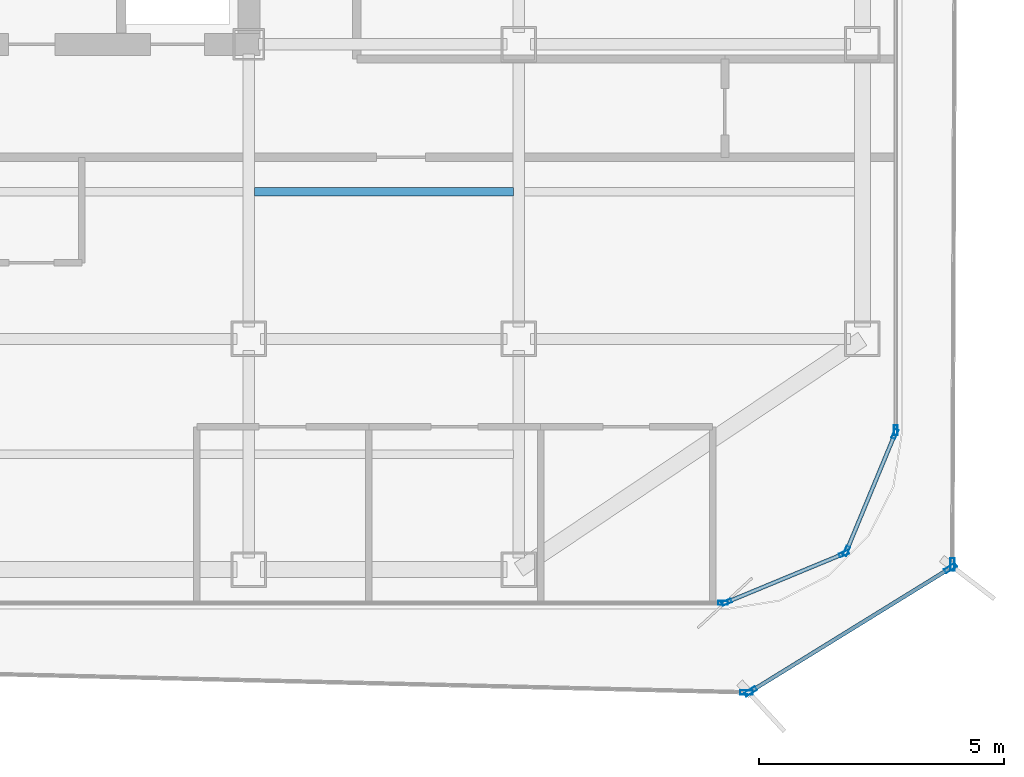
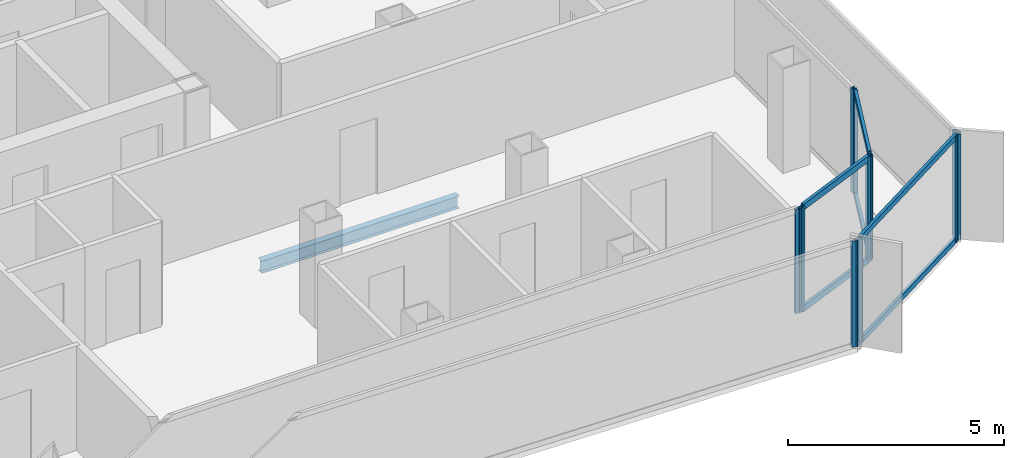
# One storey, part 4 of 15: 16 members, 1 beam, 7 elements without a shape of their own.
"""IFC4 building model written with IfcOpenShell, lengths in metres."""

from ifc_helpers import new_model, si_unit, direction, frame, origin, origin_2d, place, context, subcontext, project, spatial, hollow_rectangle, i_section, extrude, source, transform, mapped, material, layer, layer_set, material_profile, profile_set, type_object, element, aggregate, save


model = new_model("IFC4")

# Units and contexts
model_context = context("Model", 3, precision=1e-05, world=origin(), true_north=direction((0.0, 1.0)))
body_context = subcontext(model_context, "Body", "Model", "MODEL_VIEW")
ifc_project = project(units=[si_unit("LENGTHUNIT", "METRE"), si_unit("AREAUNIT", "SQUARE_METRE"), si_unit("VOLUMEUNIT", "CUBIC_METRE"), si_unit("PLANEANGLEUNIT", "RADIAN"), si_unit("MASSUNIT", "GRAM", prefix="KILO")], contexts=[model_context])

# Site, building, storey
site_placement = place(None, origin())
site = spatial("IfcSite", under=ifc_project, at=site_placement, CompositionType="ELEMENT")
building_placement = place(site_placement, origin())
building = spatial("IfcBuilding", under=site, at=building_placement, Name="Kolveth Station Tower", CompositionType="ELEMENT")
storey_placement = place(building_placement, frame((0.0, 0.0, 181.699951171875)))
storey = spatial("IfcBuildingStorey", under=building, at=storey_placement, Name="L51", CompositionType="ELEMENT", Elevation=181.699951171875)

# Beam
ifc_material_1 = material(Name="Steel S355", Category="steel")
ifc_material_profile_1 = material_profile(ifc_material_1, i_section(OverallWidth=0.1708984375, OverallDepth=0.35205078125, WebThickness=0.0068359375, FlangeThickness=0.009765625, at=origin_2d()), Name="W360x44")
ifc_profile_set_1 = profile_set([ifc_material_profile_1], Name="Steel S355")
beam_type = type_object("IfcBeamType", Name="Beam_J2", PredefinedType="JOIST", material=ifc_profile_set_1)
shared_shape_1 = source(origin(), body_context, "Body", "SweptSolid", [
    extrude(i_section(OverallWidth=0.1708984375, OverallDepth=0.35205078125, WebThickness=0.0068359375, FlangeThickness=0.009765625, at=origin_2d()), origin(), (0.0, 0.0, 1.0), 5.27490234375),
])
beam_placement = place(storey_placement, frame((28.612548828125, 8.5, -0.426025390625), z_axis=(1.0, 0.0, 0.0), x_axis=(0.0, 1.0, 0.0)))
element("IfcBeam", 1, at=beam_placement, inside=storey, type_object=beam_type, Name="L51 Secondary Joist JST-L51-5-2", PredefinedType="JOIST", context=body_context, shape_type="MappedRepresentation", body=[
    mapped(shared_shape_1, transform((0.0, 0.0, 0.0), x_axis=(1.0, 0.0, 0.0), y_axis=(0.0, 1.0, 0.0), z_axis=(0.0, 0.0, 1.0), scale=1.0)),
])

# Curtain wall, members
ifc_material_2 = material(Name="Aluminium 6063-T6 and low-E dark glass", Category="aluminium")
ifc_layer_1 = layer(ifc_material_2, 0.18994140625)
ifc_layer_set_1 = layer_set([ifc_layer_1], Name="Aluminium 6063-T6 and low-E dark glass")
curtain_wall_type_1 = type_object("IfcCurtainWallType", Name="CurtainWall_CW-Z2", PredefinedType="NOTDEFINED", material=ifc_layer_set_1)
curtain_wall_1_placement = place(storey_placement, origin())
curtain_wall_1 = element("IfcCurtainWall", 2, at=curtain_wall_1_placement, inside=storey, type_object=curtain_wall_type_1, Name="L51 Inner Thermal Curtain Wall 1", PredefinedType="NOTDEFINED")
ifc_material_3 = material(Name="Black anodized aluminium 6063-T6", Category="aluminium")
ifc_material_profile_2 = material_profile(ifc_material_3, hollow_rectangle(XDim=0.080078125, YDim=0.199951171875, WallThickness=0.0048828125, at=origin_2d()), Name="ALU-80x200x5")
ifc_profile_set_2 = profile_set([ifc_material_profile_2], Name="Black anodized aluminium 6063-T6")
member_type_1 = type_object("IfcMemberType", Name="Mullion_ML2", PredefinedType="MULLION", material=ifc_profile_set_2)
shared_shape_2 = source(origin(), body_context, "Body", "SweptSolid", [
    extrude(hollow_rectangle(XDim=0.080078125, YDim=0.199951171875, WallThickness=0.0048828125, at=origin_2d()), origin(), (0.0, 0.0, 1.0), 2.949951171875),
])
member_1_placement = place(storey_placement, frame((38.237060546875, 0.13525390625, 0.0), z_axis=(0.0, 0.0, 1.0), x_axis=(-0.382697753087, 0.923873600544, 0.0)))
member_1 = element("IfcMember", 3, at=member_1_placement, type_object=member_type_1, Name="CW-Z2 mullion 1", PredefinedType="MULLION", context=body_context, shape_type="MappedRepresentation", body=[
    mapped(shared_shape_2, transform((0.0, 0.0, 0.0), x_axis=(1.0, 0.0, 0.0), y_axis=(0.0, 1.0, 0.0), z_axis=(0.0, 0.0, 1.0), scale=1.0)),
])
member_2_placement = place(storey_placement, frame((40.623779296875, 1.1240234375, 0.0), z_axis=(0.0, 0.0, 1.0), x_axis=(-0.382697753087, 0.923873600544, 0.0)))
member_2 = element("IfcMember", 4, at=member_2_placement, type_object=member_type_1, Name="CW-Z2 mullion 2", PredefinedType="MULLION", context=body_context, shape_type="MappedRepresentation", body=[
    mapped(shared_shape_2, transform((0.0, 0.0, 0.0), x_axis=(1.0, 0.0, 0.0), y_axis=(0.0, 1.0, 0.0), z_axis=(0.0, 0.0, 1.0), scale=1.0)),
])

curtain_wall_2_placement = place(storey_placement, origin())
curtain_wall_2 = element("IfcCurtainWall", 5, at=curtain_wall_2_placement, inside=storey, type_object=curtain_wall_type_1, Name="L51 Inner Thermal Curtain Wall 2", PredefinedType="NOTDEFINED")
member_3_placement = place(storey_placement, frame((40.676025390625, 1.17626953125, 0.0), z_axis=(0.0, 0.0, 1.0), x_axis=(-0.923873600544, 0.382697753087, 0.0)))
member_3 = element("IfcMember", 6, at=member_3_placement, type_object=member_type_1, Name="CW-Z2 mullion 1", PredefinedType="MULLION", context=body_context, shape_type="MappedRepresentation", body=[
    mapped(shared_shape_2, transform((0.0, 0.0, 0.0), x_axis=(1.0, 0.0, 0.0), y_axis=(0.0, 1.0, 0.0), z_axis=(0.0, 0.0, 1.0), scale=1.0)),
])
member_4_placement = place(storey_placement, frame((41.664794921875, 3.56298828125, 0.0), z_axis=(0.0, 0.0, 1.0), x_axis=(-0.923873600544, 0.382697753087, 0.0)))
member_4 = element("IfcMember", 7, at=member_4_placement, type_object=member_type_1, Name="CW-Z2 mullion 2", PredefinedType="MULLION", context=body_context, shape_type="MappedRepresentation", body=[
    mapped(shared_shape_2, transform((0.0, 0.0, 0.0), x_axis=(1.0, 0.0, 0.0), y_axis=(0.0, 1.0, 0.0), z_axis=(0.0, 0.0, 1.0), scale=1.0)),
])

# Curtain wall, member
curtain_wall_3_placement = place(storey_placement, origin())
curtain_wall_3 = element("IfcCurtainWall", 8, at=curtain_wall_3_placement, inside=storey, type_object=curtain_wall_type_1, Name="L51 Inner Thermal Curtain Wall 3", PredefinedType="NOTDEFINED")
member_5_placement = place(storey_placement, frame((41.679931640625, 3.639892578125, 0.0), z_axis=(0.0, 0.0, 1.0), x_axis=(-1.0, 0.0, 0.0)))
member_5 = element("IfcMember", 9, at=member_5_placement, type_object=member_type_1, Name="CW-Z2 mullion 1", PredefinedType="MULLION", context=body_context, shape_type="MappedRepresentation", body=[
    mapped(shared_shape_2, transform((0.0, 0.0, 0.0), x_axis=(1.0, 0.0, 0.0), y_axis=(0.0, 1.0, 0.0), z_axis=(0.0, 0.0, 1.0), scale=1.0)),
])
aggregate(curtain_wall_3, [member_5])

curtain_wall_4_placement = place(storey_placement, origin())
curtain_wall_4 = element("IfcCurtainWall", 10, at=curtain_wall_4_placement, inside=storey, type_object=curtain_wall_type_1, Name="L51 Inner Thermal Curtain Wall 12", PredefinedType="NOTDEFINED")
member_6_placement = place(storey_placement, frame((38.159912109375, 0.1201171875, 0.0), z_axis=(0.0, 0.0, 1.0), x_axis=(0.0, 1.0, 0.0)))
member_6 = element("IfcMember", 11, at=member_6_placement, type_object=member_type_1, Name="CW-Z2 mullion 2", PredefinedType="MULLION", context=body_context, shape_type="MappedRepresentation", body=[
    mapped(shared_shape_2, transform((0.0, 0.0, 0.0), x_axis=(1.0, 0.0, 0.0), y_axis=(0.0, 1.0, 0.0), z_axis=(0.0, 0.0, 1.0), scale=1.0)),
])
aggregate(curtain_wall_4, [member_6])

# Curtain wall, members
ifc_material_4 = material(Name="Black anodized aluminium 6063-T6 and dark solar glass", Category="aluminium")
ifc_layer_2 = layer(ifc_material_4, 0.159912109375)
ifc_layer_set_2 = layer_set([ifc_layer_2], Name="Black anodized aluminium 6063-T6 and dark solar glass")
curtain_wall_type_2 = type_object("IfcCurtainWallType", Name="OUTER SKIN CW-OS", PredefinedType="NOTDEFINED", material=ifc_layer_set_2)
curtain_wall_5_placement = place(storey_placement, origin())
curtain_wall_5 = element("IfcCurtainWall", 12, at=curtain_wall_5_placement, inside=storey, type_object=curtain_wall_type_2, Name="L51 Outer Ventilated Skin Curtain Wall 1", PredefinedType="NOTDEFINED")
ifc_material_profile_3 = material_profile(ifc_material_3, hollow_rectangle(XDim=0.090087890625, YDim=0.260009765625, WallThickness=0.0048828125, at=origin_2d()), Name="ALU-90x260x5")
ifc_profile_set_3 = profile_set([ifc_material_profile_3], Name="Black anodized aluminium 6063-T6")
member_type_2 = type_object("IfcMemberType", Name="FIN MULLION ML-OS", PredefinedType="MULLION", material=ifc_profile_set_3)
shared_shape_3 = source(origin(), body_context, "Body", "SweptSolid", [
    extrude(hollow_rectangle(XDim=0.090087890625, YDim=0.260009765625, WallThickness=0.0048828125, at=origin_2d()), origin(), (0.0, 0.0, 1.0), 2.989990234375),
])
member_7_placement = place(storey_placement, frame((38.7236328125, -1.681396484375, 0.0), z_axis=(0.0, 0.0, 1.0), x_axis=(-0.525259305351, 0.850942220214, 0.0)))
member_7 = element("IfcMember", 13, at=member_7_placement, type_object=member_type_2, Name="CW-OS mullion 1", PredefinedType="MULLION", context=body_context, shape_type="MappedRepresentation", body=[
    mapped(shared_shape_3, transform((0.0, 0.0, 0.0), x_axis=(1.0, 0.0, 0.0), y_axis=(0.0, 1.0, 0.0), z_axis=(0.0, 0.0, 1.0), scale=1.0)),
])
member_8_placement = place(storey_placement, frame((42.796875, 0.8330078125, 0.0), z_axis=(0.0, 0.0, 1.0), x_axis=(-0.525259305351, 0.850942220214, 0.0)))
member_8 = element("IfcMember", 14, at=member_8_placement, type_object=member_type_2, Name="CW-OS mullion 2", PredefinedType="MULLION", context=body_context, shape_type="MappedRepresentation", body=[
    mapped(shared_shape_3, transform((0.0, 0.0, 0.0), x_axis=(1.0, 0.0, 0.0), y_axis=(0.0, 1.0, 0.0), z_axis=(0.0, 0.0, 1.0), scale=1.0)),
])

# Curtain wall, member
curtain_wall_6_placement = place(storey_placement, origin())
curtain_wall_6 = element("IfcCurtainWall", 15, at=curtain_wall_6_placement, inside=storey, type_object=curtain_wall_type_2, Name="L51 Outer Ventilated Skin Curtain Wall 2", PredefinedType="NOTDEFINED")
member_9_placement = place(storey_placement, frame((42.83544921875, 0.901611328125, 0.0), z_axis=(0.0, 0.0, 1.0), x_axis=(-0.999992034681, 0.003991312288, 0.0)))
member_9 = element("IfcMember", 16, at=member_9_placement, type_object=member_type_2, Name="CW-OS mullion 1", PredefinedType="MULLION", context=body_context, shape_type="MappedRepresentation", body=[
    mapped(shared_shape_3, transform((0.0, 0.0, 0.0), x_axis=(1.0, 0.0, 0.0), y_axis=(0.0, 1.0, 0.0), z_axis=(0.0, 0.0, 1.0), scale=1.0)),
])
aggregate(curtain_wall_6, [member_9])

curtain_wall_7_placement = place(storey_placement, origin())
curtain_wall_7 = element("IfcCurtainWall", 17, at=curtain_wall_7_placement, inside=storey, type_object=curtain_wall_type_2, Name="L51 Outer Ventilated Skin Curtain Wall 8", PredefinedType="NOTDEFINED")
member_10_placement = place(storey_placement, frame((38.640380859375, -1.703857421875, 0.0), z_axis=(0.0, 0.0, 1.0), x_axis=(0.024258483781, 0.999705719682, 0.0)))
member_10 = element("IfcMember", 18, at=member_10_placement, type_object=member_type_2, Name="CW-OS mullion 2", PredefinedType="MULLION", context=body_context, shape_type="MappedRepresentation", body=[
    mapped(shared_shape_3, transform((0.0, 0.0, 0.0), x_axis=(1.0, 0.0, 0.0), y_axis=(0.0, 1.0, 0.0), z_axis=(0.0, 0.0, 1.0), scale=1.0)),
])
aggregate(curtain_wall_7, [member_10])

# Member
ifc_material_profile_4 = material_profile(ifc_material_3, hollow_rectangle(XDim=0.080078125, YDim=0.169921875, WallThickness=0.0048828125, at=origin_2d()), Name="ALU-80x170x5")
ifc_profile_set_4 = profile_set([ifc_material_profile_4], Name="Black anodized aluminium 6063-T6")
member_type_3 = type_object("IfcMemberType", Name="Transom_TR2", PredefinedType="USERDEFINED", material=ifc_profile_set_4)
shared_shape_4 = source(origin(), body_context, "Body", "SweptSolid", [
    extrude(hollow_rectangle(XDim=0.080078125, YDim=0.169921875, WallThickness=0.0048828125, at=origin_2d()), origin(), (0.0, 0.0, 1.0), 2.50341796875),
])
member_11_placement = place(storey_placement, frame((38.27392578125, 0.150634765625, 0.0400390625), z_axis=(0.923874190494, 0.382696328882, 0.0), x_axis=(-0.382696328882, 0.923874190494, 0.0)))
member_11 = element("IfcMember", 19, at=member_11_placement, type_object=member_type_3, Name="CW-Z2 transom 1.1", ObjectType="TRANSOM", PredefinedType="USERDEFINED", context=body_context, shape_type="MappedRepresentation", body=[
    mapped(shared_shape_4, transform((0.0, 0.0, 0.0), x_axis=(1.0, 0.0, 0.0), y_axis=(0.0, 1.0, 0.0), z_axis=(0.0, 0.0, 1.0), scale=1.0)),
])

member_12_placement = place(storey_placement, frame((38.27392578125, 0.150634765625, 2.91015625), z_axis=(0.923874190494, 0.382696328882, 0.0), x_axis=(-0.382696328882, 0.923874190494, 0.0)))
member_12 = element("IfcMember", 20, at=member_12_placement, type_object=member_type_3, Name="CW-Z2 transom 1.2", ObjectType="TRANSOM", PredefinedType="USERDEFINED", context=body_context, shape_type="MappedRepresentation", body=[
    mapped(shared_shape_4, transform((0.0, 0.0, 0.0), x_axis=(1.0, 0.0, 0.0), y_axis=(0.0, 1.0, 0.0), z_axis=(0.0, 0.0, 1.0), scale=1.0)),
])

aggregate(curtain_wall_1, [member_1, member_2, member_11, member_12])

member_13_placement = place(storey_placement, frame((40.69140625, 1.213134765625, 0.0400390625), z_axis=(0.382661849723, 0.923888472039, 0.0), x_axis=(-0.923888472039, 0.382661849723, 0.0)))
member_13 = element("IfcMember", 21, at=member_13_placement, type_object=member_type_3, Name="CW-Z2 transom 1.1", ObjectType="TRANSOM", PredefinedType="USERDEFINED", context=body_context, shape_type="MappedRepresentation", body=[
    mapped(shared_shape_4, transform((0.0, 0.0, 0.0), x_axis=(1.0, 0.0, 0.0), y_axis=(0.0, 1.0, 0.0), z_axis=(0.0, 0.0, 1.0), scale=1.0)),
])

member_14_placement = place(storey_placement, frame((40.69140625, 1.213134765625, 2.91015625), z_axis=(0.382661849723, 0.923888472039, 0.0), x_axis=(-0.923888472039, 0.382661849723, 0.0)))
member_14 = element("IfcMember", 22, at=member_14_placement, type_object=member_type_3, Name="CW-Z2 transom 1.2", ObjectType="TRANSOM", PredefinedType="USERDEFINED", context=body_context, shape_type="MappedRepresentation", body=[
    mapped(shared_shape_4, transform((0.0, 0.0, 0.0), x_axis=(1.0, 0.0, 0.0), y_axis=(0.0, 1.0, 0.0), z_axis=(0.0, 0.0, 1.0), scale=1.0)),
])

aggregate(curtain_wall_2, [member_3, member_4, member_13, member_14])

ifc_material_profile_5 = material_profile(ifc_material_3, hollow_rectangle(XDim=0.080078125, YDim=0.14990234375, WallThickness=0.0048828125, at=origin_2d()), Name="ALU-80x150x5")
ifc_profile_set_5 = profile_set([ifc_material_profile_5], Name="Black anodized aluminium 6063-T6")
member_type_4 = type_object("IfcMemberType", Name="Transom_TR-OS", PredefinedType="USERDEFINED", material=ifc_profile_set_5)
shared_shape_5 = source(origin(), body_context, "Body", "SweptSolid", [
    extrude(hollow_rectangle(XDim=0.080078125, YDim=0.14990234375, WallThickness=0.0048828125, at=origin_2d()), origin(), (0.0, 0.0, 1.0), 4.69677734375),
])
member_15_placement = place(storey_placement, frame((38.761962890625, -1.65771484375, 0.0400390625), z_axis=(0.850934675935, 0.525271527204, 0.0), x_axis=(-0.525271527204, 0.850934675935, 0.0)))
member_15 = element("IfcMember", 23, at=member_15_placement, type_object=member_type_4, Name="CW-OS transom 1.1", ObjectType="TRANSOM", PredefinedType="USERDEFINED", context=body_context, shape_type="MappedRepresentation", body=[
    mapped(shared_shape_5, transform((0.0, 0.0, 0.0), x_axis=(1.0, 0.0, 0.0), y_axis=(0.0, 1.0, 0.0), z_axis=(0.0, 0.0, 1.0), scale=1.0)),
])

member_16_placement = place(storey_placement, frame((38.761962890625, -1.65771484375, 2.949951171875), z_axis=(0.850934675935, 0.525271527204, 0.0), x_axis=(-0.525271527204, 0.850934675935, 0.0)))
member_16 = element("IfcMember", 24, at=member_16_placement, type_object=member_type_4, Name="CW-OS transom 1.2", ObjectType="TRANSOM", PredefinedType="USERDEFINED", context=body_context, shape_type="MappedRepresentation", body=[
    mapped(shared_shape_5, transform((0.0, 0.0, 0.0), x_axis=(1.0, 0.0, 0.0), y_axis=(0.0, 1.0, 0.0), z_axis=(0.0, 0.0, 1.0), scale=1.0)),
])

aggregate(curtain_wall_5, [member_7, member_8, member_15, member_16])

save(model, "model.ifc")
